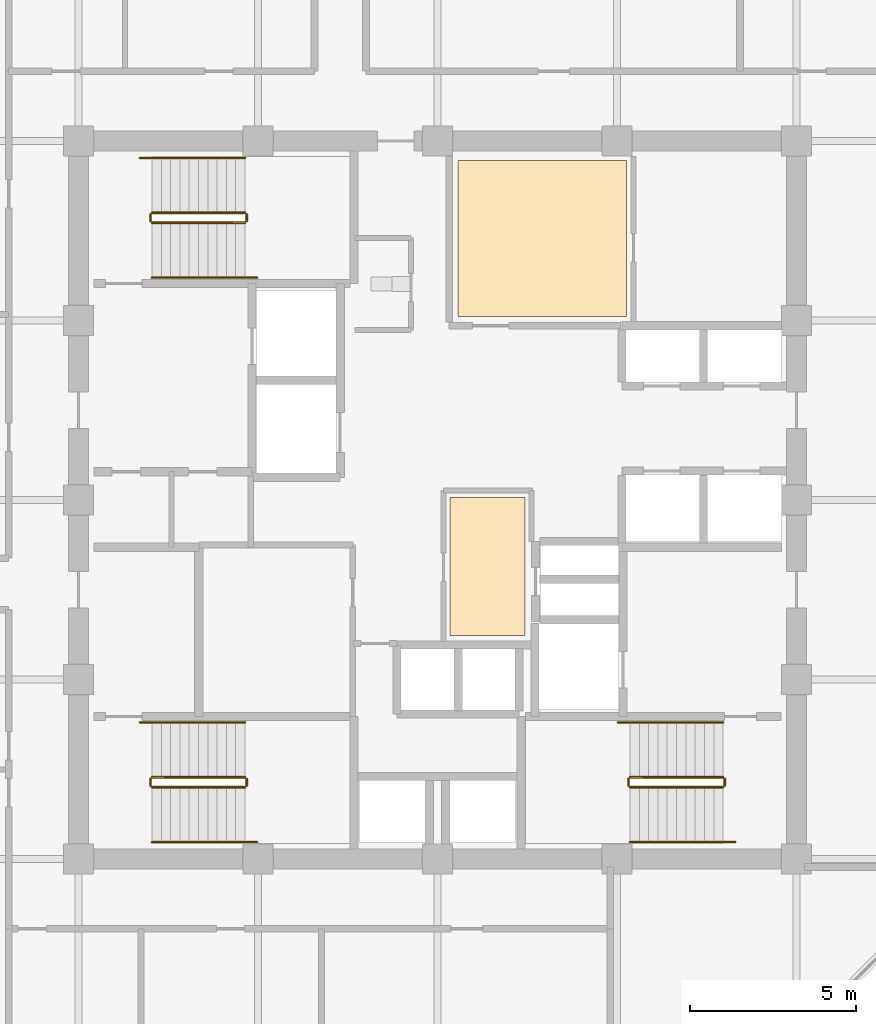
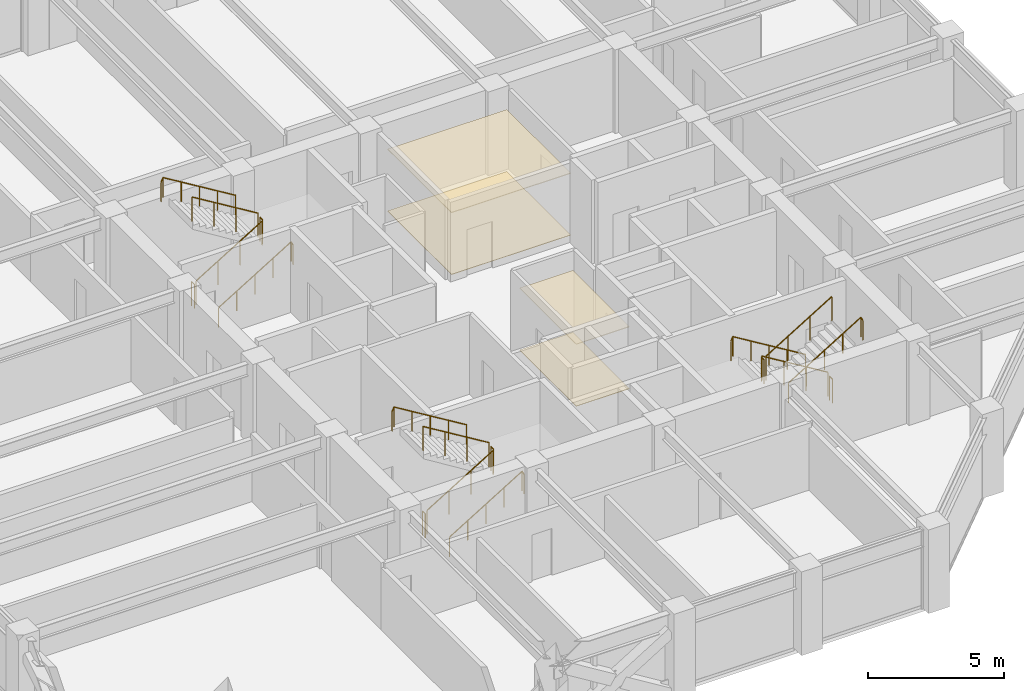
# One storey, part 31 of 32: 18 railings, 4 coverings.
"""IFC4 building model written with IfcOpenShell, lengths in metres."""

from ifc_helpers import new_model, si_unit, direction, frame, origin, origin_2d, place, context, subcontext, project, spatial, polyline, circle, outline, extrude, material, layer, layer_set, type_object, element, save


model = new_model("IFC4")

# Units and contexts
model_context = context("Model", 3, precision=1e-05, world=origin(), true_north=direction((0.0, 1.0)))
body_context = subcontext(model_context, "Body", "Model", "MODEL_VIEW")
ifc_project = project(units=[si_unit("LENGTHUNIT", "METRE"), si_unit("AREAUNIT", "SQUARE_METRE"), si_unit("VOLUMEUNIT", "CUBIC_METRE"), si_unit("PLANEANGLEUNIT", "RADIAN"), si_unit("MASSUNIT", "GRAM", prefix="KILO")], contexts=[model_context])

# Site, building, storey
site_placement = place(None, origin())
site = spatial("IfcSite", under=ifc_project, at=site_placement, CompositionType="ELEMENT")
building_placement = place(site_placement, origin())
building = spatial("IfcBuilding", under=site, at=building_placement, Name="Surkhivell Harbour Commons", CompositionType="ELEMENT")
storey_placement = place(building_placement, frame((0.0, 0.0, 212.25)))
storey = spatial("IfcBuildingStorey", under=building, at=storey_placement, Name="L55", CompositionType="ELEMENT", Elevation=212.25)

# Coverings
ifc_material_1 = material(Name="Perforated acoustic mineral-fibre ceiling tile", Category="other")
ifc_layer_1 = layer(ifc_material_1, 0.02490234375)
ifc_layer_set_1 = layer_set([ifc_layer_1], Name="Perforated acoustic mineral-fibre ceiling tile")
covering_type_1 = type_object("IfcCoveringType", Name="COV-CEIL-AC", PredefinedType="CEILING", material=ifc_layer_set_1)
covering_1_placement = place(storey_placement, frame((0.0, 0.0, 2.77490234375)))
element("IfcCovering", 1, at=covering_1_placement, inside=storey, type_object=covering_type_1, Name="L55 Suspended Acoustic Ceiling 1", PredefinedType="CEILING", context=body_context, shape_type="SweptSolid", body=[
    extrude(outline(polyline([(0.3701171875, -4.080078125), (2.6298828125, -4.080078125), (2.6298828125, 0.080078125), (0.3701171875, 0.080078125), (0.3701171875, -4.080078125)])), origin(), (0.0, 0.0, 1.0), 0.025146484375),
])
ifc_material_2 = material(Name="Moisture-resistant gypsum acoustic ceiling board", Category="other")
ifc_layer_2 = layer(ifc_material_2, 0.030029296875)
ifc_layer_set_2 = layer_set([ifc_layer_2], Name="Moisture-resistant gypsum acoustic ceiling board")
covering_type_2 = type_object("IfcCoveringType", Name="COV-CEIL-GYP", PredefinedType="CEILING", material=ifc_layer_set_2)
covering_2_placement = place(storey_placement, frame((0.0, 0.0, 2.77001953125)))
element("IfcCovering", 2, at=covering_2_placement, inside=storey, type_object=covering_type_2, Name="L55 Suspended Acoustic Ceiling 2", PredefinedType="CEILING", context=body_context, shape_type="SweptSolid", body=[
    extrude(outline(polyline([(0.6201171875, 5.52001953125), (5.679931640625, 5.52001953125), (5.679931640625, 10.219970703125), (0.6201171875, 10.219970703125), (0.6201171875, 5.52001953125)])), origin(), (0.0, 0.0, 1.0), 0.030029296875),
])
ifc_material_3 = material(Name="Engineered acoustic oak timber flooring", Category="wood")
ifc_layer_3 = layer(ifc_material_3, 0.02001953125)
ifc_layer_set_3 = layer_set([ifc_layer_3], Name="Engineered acoustic oak timber flooring")
covering_type_3 = type_object("IfcCoveringType", Name="COV-FLR-TIM", PredefinedType="FLOORING", material=ifc_layer_set_3)
covering_3_placement = place(storey_placement, origin())
element("IfcCovering", 3, at=covering_3_placement, inside=storey, type_object=covering_type_3, Name="L55 Interior Floor Finish 1", PredefinedType="FLOORING", context=body_context, shape_type="SweptSolid", body=[
    extrude(outline(polyline([(0.3701171875, -4.080078125), (2.6298828125, -4.080078125), (2.6298828125, 0.080078125), (0.3701171875, 0.080078125), (0.3701171875, -4.080078125)])), origin(), (0.0, 0.0, 1.0), 0.02001953125),
])
covering_4_placement = place(storey_placement, origin())
element("IfcCovering", 4, at=covering_4_placement, inside=storey, type_object=covering_type_3, Name="L55 Interior Floor Finish 2", PredefinedType="FLOORING", context=body_context, shape_type="SweptSolid", body=[
    extrude(outline(polyline([(0.6201171875, 5.52001953125), (5.679931640625, 5.52001953125), (5.679931640625, 10.219970703125), (0.6201171875, 10.219970703125), (0.6201171875, 5.52001953125)])), origin(), (0.0, 0.0, 1.0), 0.02001953125),
])

# Railings
ifc_material_4 = material(Name="Galvanised and painted steel S355 guard rail", Category="steel")
railing_type_1 = type_object("IfcRailingType", Name="RAL-ST-GRD1100", PredefinedType="GUARDRAIL", material=ifc_material_4)
railing_1_placement = place(storey_placement, frame((-8.590087890625, 8.340087890625, 0.17041015625)))
element("IfcRailing", 5, at=railing_1_placement, inside=storey, type_object=railing_type_1, Name="L55 ST1 stair guard 1", PredefinedType="GUARDRAIL", context=body_context, shape_type="SweptSolid", body=[
    extrude(circle(Radius=0.02392578125, at=origin_2d()), frame((0.0, 0.0, 1.076171875), z_axis=(0.854169791009, 0.0, 0.51999420009), x_axis=(0.0, 1.0, 0.0)), (0.0, 0.0, 1.0), 3.278076171875),
    extrude(circle(Radius=0.02099609375, at=origin_2d()), origin(), (0.0, 0.0, 1.0), 1.052001953125),
    extrude(circle(Radius=0.02099609375, at=origin_2d()), frame((0.933349609375, 0.0, 0.568115234375)), (0.0, 0.0, 1.0), 1.052001953125),
    extrude(circle(Radius=0.02099609375, at=origin_2d()), frame((1.86669921875, 0.0, 1.136474609375)), (0.0, 0.0, 1.0), 1.052001953125),
    extrude(circle(Radius=0.02099609375, at=origin_2d()), frame((2.800048828125, 0.0, 1.70458984375)), (0.0, 0.0, 1.0), 1.052001953125),
])
railing_2_placement = place(storey_placement, frame((-5.739990234375, 8.389892578125, 1.875)))
element("IfcRailing", 6, at=railing_2_placement, inside=storey, type_object=railing_type_1, Name="L55 ST1 stair guard 2", PredefinedType="GUARDRAIL", context=body_context, shape_type="SweptSolid", body=[
    extrude(circle(Radius=0.02392578125, at=origin_2d()), frame((0.0, 0.0, 1.076171875), z_axis=(0.0, 1.0, 0.0), x_axis=(-1.0, 0.0, 0.0)), (0.0, 0.0, 1.0), 0.2001953125),
    extrude(circle(Radius=0.02099609375, at=origin_2d()), origin(), (0.0, 0.0, 1.0), 1.052001953125),
    extrude(circle(Radius=0.02099609375, at=origin_2d()), frame((0.0, 0.2001953125, 0.0)), (0.0, 0.0, 1.0), 1.052001953125),
])
railing_3_placement = place(storey_placement, frame((-5.7900390625, 8.639892578125, 2.04541015625)))
element("IfcRailing", 7, at=railing_3_placement, inside=storey, type_object=railing_type_1, Name="L55 ST1 stair guard 3", PredefinedType="GUARDRAIL", context=body_context, shape_type="SweptSolid", body=[
    extrude(circle(Radius=0.02392578125, at=origin_2d()), frame((0.0, 0.0, 1.076171875), z_axis=(-0.854169791009, 0.0, 0.51999420009), x_axis=(0.0, -1.0, 0.0)), (0.0, 0.0, 1.0), 3.278076171875),
    extrude(circle(Radius=0.02099609375, at=origin_2d()), origin(), (0.0, 0.0, 1.0), 1.052001953125),
    extrude(circle(Radius=0.02099609375, at=origin_2d()), frame((-0.933349609375, 0.0, 0.568115234375)), (0.0, 0.0, 1.0), 1.052001953125),
    extrude(circle(Radius=0.02099609375, at=origin_2d()), frame((-1.86669921875, 0.0, 1.136474609375)), (0.0, 0.0, 1.0), 1.052001953125),
    extrude(circle(Radius=0.02099609375, at=origin_2d()), frame((-2.800048828125, 0.0, 1.70458984375)), (0.0, 0.0, 1.0), 1.052001953125),
])
railing_4_placement = place(storey_placement, frame((-8.639892578125, 8.389892578125, 0.0)))
element("IfcRailing", 8, at=railing_4_placement, inside=storey, type_object=railing_type_1, Name="L55 ST1 stair guard 4", PredefinedType="GUARDRAIL", context=body_context, shape_type="SweptSolid", body=[
    extrude(circle(Radius=0.02392578125, at=origin_2d()), frame((0.0, 0.0, 1.076171875), z_axis=(0.0, 1.0, 0.0), x_axis=(-1.0, 0.0, 0.0)), (0.0, 0.0, 1.0), 0.2001953125),
    extrude(circle(Radius=0.02099609375, at=origin_2d()), origin(), (0.0, 0.0, 1.0), 1.052001953125),
    extrude(circle(Radius=0.02099609375, at=origin_2d()), frame((0.0, 0.2001953125, 0.0)), (0.0, 0.0, 1.0), 1.052001953125),
])
railing_5_placement = place(storey_placement, frame((8.590087890625, -8.340087890625, 0.17041015625)))
element("IfcRailing", 9, at=railing_5_placement, inside=storey, type_object=railing_type_1, Name="L55 ST2 stair guard 1", PredefinedType="GUARDRAIL", context=body_context, shape_type="SweptSolid", body=[
    extrude(circle(Radius=0.02392578125, at=origin_2d()), frame((0.0, 0.0, 1.076171875), z_axis=(-0.854169791009, 0.0, 0.51999420009), x_axis=(0.0, -1.0, 0.0)), (0.0, 0.0, 1.0), 3.278076171875),
    extrude(circle(Radius=0.02099609375, at=origin_2d()), origin(), (0.0, 0.0, 1.0), 1.052001953125),
    extrude(circle(Radius=0.02099609375, at=origin_2d()), frame((-0.933349609375, 0.0, 0.568115234375)), (0.0, 0.0, 1.0), 1.052001953125),
    extrude(circle(Radius=0.02099609375, at=origin_2d()), frame((-1.86669921875, 0.0, 1.136474609375)), (0.0, 0.0, 1.0), 1.052001953125),
    extrude(circle(Radius=0.02099609375, at=origin_2d()), frame((-2.800048828125, 0.0, 1.70458984375)), (0.0, 0.0, 1.0), 1.052001953125),
])
railing_6_placement = place(storey_placement, frame((5.739990234375, -8.389892578125, 1.875)))
element("IfcRailing", 10, at=railing_6_placement, inside=storey, type_object=railing_type_1, Name="L55 ST2 stair guard 2", PredefinedType="GUARDRAIL", context=body_context, shape_type="SweptSolid", body=[
    extrude(circle(Radius=0.02392578125, at=origin_2d()), frame((0.0, 0.0, 1.076171875), z_axis=(0.0, -1.0, 0.0), x_axis=(1.0, 0.0, 0.0)), (0.0, 0.0, 1.0), 0.2001953125),
    extrude(circle(Radius=0.02099609375, at=origin_2d()), origin(), (0.0, 0.0, 1.0), 1.052001953125),
    extrude(circle(Radius=0.02099609375, at=origin_2d()), frame((0.0, -0.2001953125, 0.0)), (0.0, 0.0, 1.0), 1.052001953125),
])
railing_7_placement = place(storey_placement, frame((5.7900390625, -8.639892578125, 2.04541015625)))
element("IfcRailing", 11, at=railing_7_placement, inside=storey, type_object=railing_type_1, Name="L55 ST2 stair guard 3", PredefinedType="GUARDRAIL", context=body_context, shape_type="SweptSolid", body=[
    extrude(circle(Radius=0.02392578125, at=origin_2d()), frame((0.0, 0.0, 1.076171875), z_axis=(0.854169791009, 0.0, 0.51999420009), x_axis=(0.0, 1.0, 0.0)), (0.0, 0.0, 1.0), 3.278076171875),
    extrude(circle(Radius=0.02099609375, at=origin_2d()), origin(), (0.0, 0.0, 1.0), 1.052001953125),
    extrude(circle(Radius=0.02099609375, at=origin_2d()), frame((0.933349609375, 0.0, 0.568115234375)), (0.0, 0.0, 1.0), 1.052001953125),
    extrude(circle(Radius=0.02099609375, at=origin_2d()), frame((1.86669921875, 0.0, 1.136474609375)), (0.0, 0.0, 1.0), 1.052001953125),
    extrude(circle(Radius=0.02099609375, at=origin_2d()), frame((2.800048828125, 0.0, 1.70458984375)), (0.0, 0.0, 1.0), 1.052001953125),
])
railing_8_placement = place(storey_placement, frame((8.639892578125, -8.389892578125, 0.0)))
element("IfcRailing", 12, at=railing_8_placement, inside=storey, type_object=railing_type_1, Name="L55 ST2 stair guard 4", PredefinedType="GUARDRAIL", context=body_context, shape_type="SweptSolid", body=[
    extrude(circle(Radius=0.02392578125, at=origin_2d()), frame((0.0, 0.0, 1.076171875), z_axis=(0.0, -1.0, 0.0), x_axis=(1.0, 0.0, 0.0)), (0.0, 0.0, 1.0), 0.2001953125),
    extrude(circle(Radius=0.02099609375, at=origin_2d()), origin(), (0.0, 0.0, 1.0), 1.052001953125),
    extrude(circle(Radius=0.02099609375, at=origin_2d()), frame((0.0, -0.2001953125, 0.0)), (0.0, 0.0, 1.0), 1.052001953125),
])
railing_9_placement = place(storey_placement, frame((-8.590087890625, -8.639892578125, 0.17041015625)))
element("IfcRailing", 13, at=railing_9_placement, inside=storey, type_object=railing_type_1, Name="L55 ST3 stair guard 1", PredefinedType="GUARDRAIL", context=body_context, shape_type="SweptSolid", body=[
    extrude(circle(Radius=0.02392578125, at=origin_2d()), frame((0.0, 0.0, 1.076171875), z_axis=(0.854169791009, 0.0, 0.51999420009), x_axis=(0.0, 1.0, 0.0)), (0.0, 0.0, 1.0), 3.278076171875),
    extrude(circle(Radius=0.02099609375, at=origin_2d()), origin(), (0.0, 0.0, 1.0), 1.052001953125),
    extrude(circle(Radius=0.02099609375, at=origin_2d()), frame((0.933349609375, 0.0, 0.568115234375)), (0.0, 0.0, 1.0), 1.052001953125),
    extrude(circle(Radius=0.02099609375, at=origin_2d()), frame((1.86669921875, 0.0, 1.136474609375)), (0.0, 0.0, 1.0), 1.052001953125),
    extrude(circle(Radius=0.02099609375, at=origin_2d()), frame((2.800048828125, 0.0, 1.70458984375)), (0.0, 0.0, 1.0), 1.052001953125),
])
railing_10_placement = place(storey_placement, frame((-5.739990234375, -8.590087890625, 1.875)))
element("IfcRailing", 14, at=railing_10_placement, inside=storey, type_object=railing_type_1, Name="L55 ST3 stair guard 2", PredefinedType="GUARDRAIL", context=body_context, shape_type="SweptSolid", body=[
    extrude(circle(Radius=0.02392578125, at=origin_2d()), frame((0.0, 0.0, 1.076171875), z_axis=(0.0, 1.0, 0.0), x_axis=(-1.0, 0.0, 0.0)), (0.0, 0.0, 1.0), 0.2001953125),
    extrude(circle(Radius=0.02099609375, at=origin_2d()), origin(), (0.0, 0.0, 1.0), 1.052001953125),
    extrude(circle(Radius=0.02099609375, at=origin_2d()), frame((0.0, 0.2001953125, 0.0)), (0.0, 0.0, 1.0), 1.052001953125),
])
railing_11_placement = place(storey_placement, frame((-5.7900390625, -8.340087890625, 2.04541015625)))
element("IfcRailing", 15, at=railing_11_placement, inside=storey, type_object=railing_type_1, Name="L55 ST3 stair guard 3", PredefinedType="GUARDRAIL", context=body_context, shape_type="SweptSolid", body=[
    extrude(circle(Radius=0.02392578125, at=origin_2d()), frame((0.0, 0.0, 1.076171875), z_axis=(-0.854169791009, 0.0, 0.51999420009), x_axis=(0.0, -1.0, 0.0)), (0.0, 0.0, 1.0), 3.278076171875),
    extrude(circle(Radius=0.02099609375, at=origin_2d()), origin(), (0.0, 0.0, 1.0), 1.052001953125),
    extrude(circle(Radius=0.02099609375, at=origin_2d()), frame((-0.933349609375, 0.0, 0.568115234375)), (0.0, 0.0, 1.0), 1.052001953125),
    extrude(circle(Radius=0.02099609375, at=origin_2d()), frame((-1.86669921875, 0.0, 1.136474609375)), (0.0, 0.0, 1.0), 1.052001953125),
    extrude(circle(Radius=0.02099609375, at=origin_2d()), frame((-2.800048828125, 0.0, 1.70458984375)), (0.0, 0.0, 1.0), 1.052001953125),
])
railing_12_placement = place(storey_placement, frame((-8.639892578125, -8.590087890625, 0.0)))
element("IfcRailing", 16, at=railing_12_placement, inside=storey, type_object=railing_type_1, Name="L55 ST3 stair guard 4", PredefinedType="GUARDRAIL", context=body_context, shape_type="SweptSolid", body=[
    extrude(circle(Radius=0.02392578125, at=origin_2d()), frame((0.0, 0.0, 1.076171875), z_axis=(0.0, 1.0, 0.0), x_axis=(-1.0, 0.0, 0.0)), (0.0, 0.0, 1.0), 0.2001953125),
    extrude(circle(Radius=0.02099609375, at=origin_2d()), origin(), (0.0, 0.0, 1.0), 1.052001953125),
    extrude(circle(Radius=0.02099609375, at=origin_2d()), frame((0.0, 0.2001953125, 0.0)), (0.0, 0.0, 1.0), 1.052001953125),
])
ifc_material_5 = material(Name="Brushed stainless steel S355 handrail", Category="steel")
railing_type_2 = type_object("IfcRailingType", Name="RAL-ST-HND900", PredefinedType="HANDRAIL", material=ifc_material_5)
railing_13_placement = place(storey_placement, frame((-8.590087890625, 6.68994140625, 0.17041015625)))
element("IfcRailing", 17, at=railing_13_placement, inside=storey, type_object=railing_type_2, Name="L55 ST1 stair handrail 1", PredefinedType="HANDRAIL", context=body_context, shape_type="SweptSolid", body=[
    extrude(circle(Radius=0.02392578125, at=origin_2d()), frame((0.0, 0.0, 0.8759765625), z_axis=(0.854177636135, 0.0, 0.519981313056), x_axis=(0.0, 1.0, 0.0)), (0.0, 0.0, 1.0), 3.60595703125),
    extrude(circle(Radius=0.02392578125, at=origin_2d()), frame((3.080078125, 0.0, 2.7509765625), z_axis=(0.425297416671, 0.0, -0.905053648892), x_axis=(0.0, 1.0, 0.0)), (0.0, 0.0, 1.0), 0.188232421875),
    extrude(circle(Radius=0.02099609375, at=origin_2d()), origin(), (0.0, 0.0, 1.0), 0.851806640625),
    extrude(circle(Radius=0.02099609375, at=origin_2d()), frame((0.77001953125, 0.0, 0.46875)), (0.0, 0.0, 1.0), 0.851806640625),
    extrude(circle(Radius=0.02099609375, at=origin_2d()), frame((1.5400390625, 0.0, 0.9375)), (0.0, 0.0, 1.0), 0.851806640625),
    extrude(circle(Radius=0.02099609375, at=origin_2d()), frame((2.31005859375, 0.0, 1.40625)), (0.0, 0.0, 1.0), 0.851806640625),
    extrude(circle(Radius=0.02099609375, at=origin_2d()), frame((3.080078125, 0.0, 1.875)), (0.0, 0.0, 1.0), 0.851806640625),
    extrude(circle(Radius=0.02099609375, at=origin_2d()), frame((3.16015625, 0.0, 1.70458984375)), (0.0, 0.0, 1.0), 0.851806640625),
])
railing_14_placement = place(storey_placement, frame((-5.7900390625, 10.2900390625, 2.04541015625)))
element("IfcRailing", 18, at=railing_14_placement, inside=storey, type_object=railing_type_2, Name="L55 ST1 stair handrail 2", PredefinedType="HANDRAIL", context=body_context, shape_type="SweptSolid", body=[
    extrude(circle(Radius=0.02392578125, at=origin_2d()), frame((0.0, 0.0, 0.8759765625), z_axis=(-0.854177636135, 0.0, 0.519981313056), x_axis=(0.0, -1.0, 0.0)), (0.0, 0.0, 1.0), 3.60595703125),
    extrude(circle(Radius=0.02392578125, at=origin_2d()), frame((-3.080078125, 0.0, 2.7509765625), z_axis=(-0.424234432967, 0.0, -0.905552398199), x_axis=(0.0, -1.0, 0.0)), (0.0, 0.0, 1.0), 0.188232421875),
    extrude(circle(Radius=0.02099609375, at=origin_2d()), origin(), (0.0, 0.0, 1.0), 0.851806640625),
    extrude(circle(Radius=0.02099609375, at=origin_2d()), frame((-0.77001953125, 0.0, 0.46875)), (0.0, 0.0, 1.0), 0.851806640625),
    extrude(circle(Radius=0.02099609375, at=origin_2d()), frame((-1.5400390625, 0.0, 0.9375)), (0.0, 0.0, 1.0), 0.851806640625),
    extrude(circle(Radius=0.02099609375, at=origin_2d()), frame((-2.31005859375, 0.0, 1.40625)), (0.0, 0.0, 1.0), 0.851806640625),
    extrude(circle(Radius=0.02099609375, at=origin_2d()), frame((-3.080078125, 0.0, 1.875)), (0.0, 0.0, 1.0), 0.851806640625),
    extrude(circle(Radius=0.02099609375, at=origin_2d()), frame((-3.159912109375, 0.0, 1.70458984375)), (0.0, 0.0, 1.0), 0.851806640625),
])
railing_15_placement = place(storey_placement, frame((8.590087890625, -6.68994140625, 0.17041015625)))
element("IfcRailing", 19, at=railing_15_placement, inside=storey, type_object=railing_type_2, Name="L55 ST2 stair handrail 1", PredefinedType="HANDRAIL", context=body_context, shape_type="SweptSolid", body=[
    extrude(circle(Radius=0.02392578125, at=origin_2d()), frame((0.0, 0.0, 0.8759765625), z_axis=(-0.854177636135, 0.0, 0.519981313056), x_axis=(0.0, -1.0, 0.0)), (0.0, 0.0, 1.0), 3.60595703125),
    extrude(circle(Radius=0.02392578125, at=origin_2d()), frame((-3.080078125, 0.0, 2.7509765625), z_axis=(-0.425297416671, 0.0, -0.905053648892), x_axis=(0.0, -1.0, 0.0)), (0.0, 0.0, 1.0), 0.188232421875),
    extrude(circle(Radius=0.02099609375, at=origin_2d()), origin(), (0.0, 0.0, 1.0), 0.851806640625),
    extrude(circle(Radius=0.02099609375, at=origin_2d()), frame((-0.77001953125, 0.0, 0.46875)), (0.0, 0.0, 1.0), 0.851806640625),
    extrude(circle(Radius=0.02099609375, at=origin_2d()), frame((-1.5400390625, 0.0, 0.9375)), (0.0, 0.0, 1.0), 0.851806640625),
    extrude(circle(Radius=0.02099609375, at=origin_2d()), frame((-2.31005859375, 0.0, 1.40625)), (0.0, 0.0, 1.0), 0.851806640625),
    extrude(circle(Radius=0.02099609375, at=origin_2d()), frame((-3.080078125, 0.0, 1.875)), (0.0, 0.0, 1.0), 0.851806640625),
    extrude(circle(Radius=0.02099609375, at=origin_2d()), frame((-3.16015625, 0.0, 1.70458984375)), (0.0, 0.0, 1.0), 0.851806640625),
])
railing_16_placement = place(storey_placement, frame((5.7900390625, -10.2900390625, 2.04541015625)))
element("IfcRailing", 20, at=railing_16_placement, inside=storey, type_object=railing_type_2, Name="L55 ST2 stair handrail 2", PredefinedType="HANDRAIL", context=body_context, shape_type="SweptSolid", body=[
    extrude(circle(Radius=0.02392578125, at=origin_2d()), frame((0.0, 0.0, 0.8759765625), z_axis=(0.854177636135, 0.0, 0.519981313056), x_axis=(0.0, 1.0, 0.0)), (0.0, 0.0, 1.0), 3.60595703125),
    extrude(circle(Radius=0.02392578125, at=origin_2d()), frame((3.080078125, 0.0, 2.7509765625), z_axis=(0.424234432967, 0.0, -0.905552398199), x_axis=(0.0, 1.0, 0.0)), (0.0, 0.0, 1.0), 0.188232421875),
    extrude(circle(Radius=0.02099609375, at=origin_2d()), origin(), (0.0, 0.0, 1.0), 0.851806640625),
    extrude(circle(Radius=0.02099609375, at=origin_2d()), frame((0.77001953125, 0.0, 0.46875)), (0.0, 0.0, 1.0), 0.851806640625),
    extrude(circle(Radius=0.02099609375, at=origin_2d()), frame((1.5400390625, 0.0, 0.9375)), (0.0, 0.0, 1.0), 0.851806640625),
    extrude(circle(Radius=0.02099609375, at=origin_2d()), frame((2.31005859375, 0.0, 1.40625)), (0.0, 0.0, 1.0), 0.851806640625),
    extrude(circle(Radius=0.02099609375, at=origin_2d()), frame((3.080078125, 0.0, 1.875)), (0.0, 0.0, 1.0), 0.851806640625),
    extrude(circle(Radius=0.02099609375, at=origin_2d()), frame((3.159912109375, 0.0, 1.70458984375)), (0.0, 0.0, 1.0), 0.851806640625),
])
railing_17_placement = place(storey_placement, frame((-8.590087890625, -10.2900390625, 0.17041015625)))
element("IfcRailing", 21, at=railing_17_placement, inside=storey, type_object=railing_type_2, Name="L55 ST3 stair handrail 1", PredefinedType="HANDRAIL", context=body_context, shape_type="SweptSolid", body=[
    extrude(circle(Radius=0.02392578125, at=origin_2d()), frame((0.0, 0.0, 0.8759765625), z_axis=(0.854177636135, 0.0, 0.519981313056), x_axis=(0.0, 1.0, 0.0)), (0.0, 0.0, 1.0), 3.60595703125),
    extrude(circle(Radius=0.02392578125, at=origin_2d()), frame((3.080078125, 0.0, 2.7509765625), z_axis=(0.425297416671, 0.0, -0.905053648892), x_axis=(0.0, 1.0, 0.0)), (0.0, 0.0, 1.0), 0.188232421875),
    extrude(circle(Radius=0.02099609375, at=origin_2d()), origin(), (0.0, 0.0, 1.0), 0.851806640625),
    extrude(circle(Radius=0.02099609375, at=origin_2d()), frame((0.77001953125, 0.0, 0.46875)), (0.0, 0.0, 1.0), 0.851806640625),
    extrude(circle(Radius=0.02099609375, at=origin_2d()), frame((1.5400390625, 0.0, 0.9375)), (0.0, 0.0, 1.0), 0.851806640625),
    extrude(circle(Radius=0.02099609375, at=origin_2d()), frame((2.31005859375, 0.0, 1.40625)), (0.0, 0.0, 1.0), 0.851806640625),
    extrude(circle(Radius=0.02099609375, at=origin_2d()), frame((3.080078125, 0.0, 1.875)), (0.0, 0.0, 1.0), 0.851806640625),
    extrude(circle(Radius=0.02099609375, at=origin_2d()), frame((3.16015625, 0.0, 1.70458984375)), (0.0, 0.0, 1.0), 0.851806640625),
])
railing_18_placement = place(storey_placement, frame((-5.7900390625, -6.68994140625, 2.04541015625)))
element("IfcRailing", 22, at=railing_18_placement, inside=storey, type_object=railing_type_2, Name="L55 ST3 stair handrail 2", PredefinedType="HANDRAIL", context=body_context, shape_type="SweptSolid", body=[
    extrude(circle(Radius=0.02392578125, at=origin_2d()), frame((0.0, 0.0, 0.8759765625), z_axis=(-0.854177636135, 0.0, 0.519981313056), x_axis=(0.0, -1.0, 0.0)), (0.0, 0.0, 1.0), 3.60595703125),
    extrude(circle(Radius=0.02392578125, at=origin_2d()), frame((-3.080078125, 0.0, 2.7509765625), z_axis=(-0.424234432967, 0.0, -0.905552398199), x_axis=(0.0, -1.0, 0.0)), (0.0, 0.0, 1.0), 0.188232421875),
    extrude(circle(Radius=0.02099609375, at=origin_2d()), origin(), (0.0, 0.0, 1.0), 0.851806640625),
    extrude(circle(Radius=0.02099609375, at=origin_2d()), frame((-0.77001953125, 0.0, 0.46875)), (0.0, 0.0, 1.0), 0.851806640625),
    extrude(circle(Radius=0.02099609375, at=origin_2d()), frame((-1.5400390625, 0.0, 0.9375)), (0.0, 0.0, 1.0), 0.851806640625),
    extrude(circle(Radius=0.02099609375, at=origin_2d()), frame((-2.31005859375, 0.0, 1.40625)), (0.0, 0.0, 1.0), 0.851806640625),
    extrude(circle(Radius=0.02099609375, at=origin_2d()), frame((-3.080078125, 0.0, 1.875)), (0.0, 0.0, 1.0), 0.851806640625),
    extrude(circle(Radius=0.02099609375, at=origin_2d()), frame((-3.159912109375, 0.0, 1.70458984375)), (0.0, 0.0, 1.0), 0.851806640625),
])

save(model, "model.ifc")
